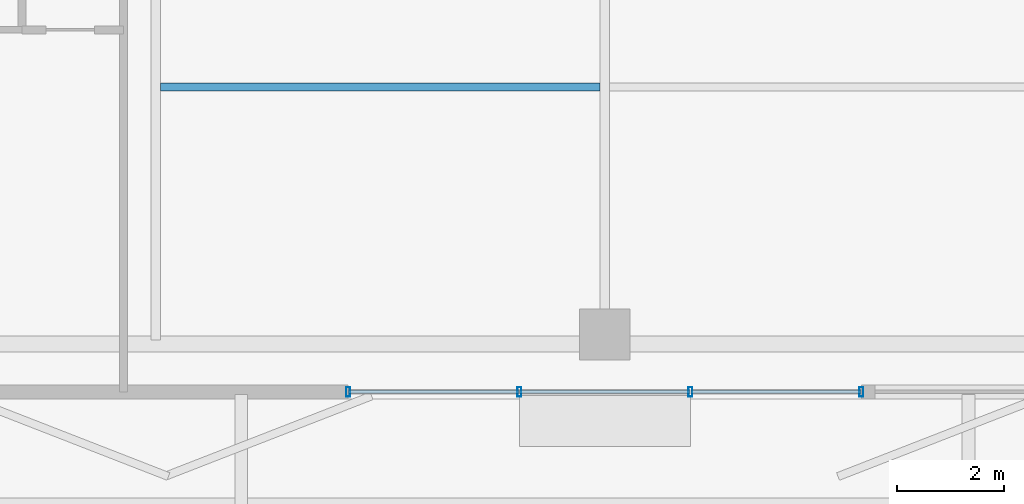
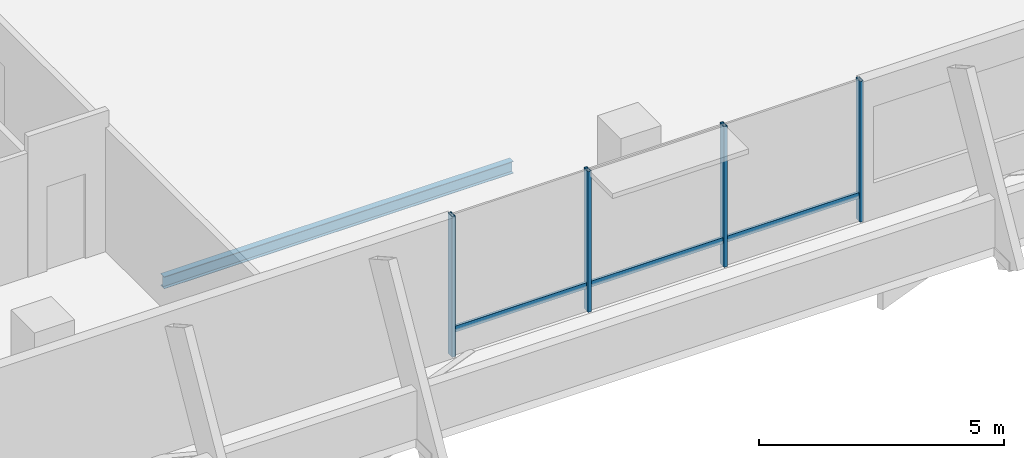
# One storey, part 2 of 17: 7 members, 1 beam, 1 element without a shape of its own.
"""IFC4 building model written with IfcOpenShell, lengths in metres."""

from ifc_helpers import new_model, si_unit, direction, frame, origin, origin_2d, place, context, subcontext, project, spatial, hollow_rectangle, i_section, extrude, material, layer, layer_set, material_profile, profile_set, type_object, element, aggregate, save


model = new_model("IFC4")

# Units and contexts
model_context = context("Model", 3, precision=1e-05, world=origin(), true_north=direction((0.0, 1.0)))
body_context = subcontext(model_context, "Body", "Model", "MODEL_VIEW")
ifc_project = project(units=[si_unit("LENGTHUNIT", "METRE"), si_unit("AREAUNIT", "SQUARE_METRE"), si_unit("VOLUMEUNIT", "CUBIC_METRE"), si_unit("PLANEANGLEUNIT", "RADIAN"), si_unit("MASSUNIT", "GRAM", prefix="KILO")], contexts=[model_context])

# Site, building, storey
site_placement = place(None, origin())
site = spatial("IfcSite", under=ifc_project, at=site_placement, CompositionType="ELEMENT")
building_placement = place(site_placement, origin())
building = spatial("IfcBuilding", under=site, at=building_placement, Name="Belovzor Exchange Tower", CompositionType="ELEMENT")
storey_placement = place(building_placement, frame((0.0, 0.0, 246.60009765625)))
storey = spatial("IfcBuildingStorey", under=building, at=storey_placement, Name="L61", CompositionType="ELEMENT", Elevation=246.60009765625)

# Beam
ifc_material_1 = material(Name="Steel S355", Category="steel")
ifc_material_profile_1 = material_profile(ifc_material_1, i_section(OverallWidth=0.14990234375, OverallDepth=0.300048828125, WebThickness=0.007080078125, FlangeThickness=0.0107421875, at=origin_2d()))
ifc_profile_set_1 = profile_set([ifc_material_profile_1], Name="Steel S355")
beam_type = type_object("IfcBeamType", Name="Secondary Trim Floor Joist IPE 300", PredefinedType="BEAM", material=ifc_profile_set_1)
beam_placement = place(storey_placement, frame((20.489990234375, 9.736083984375, -0.400146484375), z_axis=(1.0, 0.0, 0.0), x_axis=(0.0, 1.0, 0.0)))
element("IfcBeam", 1, at=beam_placement, inside=storey, type_object=beam_type, Name="FJ-300 Secondary Trim Floor Joist IPE 300", PredefinedType="BEAM", context=body_context, shape_type="SweptSolid", body=[
    extrude(i_section(OverallWidth=0.14990234375, OverallDepth=0.300048828125, WebThickness=0.007080078125, FlangeThickness=0.0107421875, at=origin_2d()), origin(), (0.0, 0.0, 1.0), 8.219970703125),
])

# Curtain wall, members
ifc_material_2 = material(Name="Anodised Aluminium Framing", Category="aluminium")
ifc_layer = layer(ifc_material_2, 0.179931640625)
ifc_layer_set = layer_set([ifc_layer], Name="Anodised Aluminium Framing")
curtain_wall_type = type_object("IfcCurtainWallType", Name="Recessed Loggia Low-Iron Triple-Glazed Curtain Wall", PredefinedType="NOTDEFINED", material=ifc_layer_set)
curtain_wall_placement = place(storey_placement, origin())
curtain_wall = element("IfcCurtainWall", 2, at=curtain_wall_placement, inside=storey, type_object=curtain_wall_type, Name="CW3 Recessed Loggia Low-Iron Triple-Glazed Curtain Wall L61", PredefinedType="NOTDEFINED")
ifc_material_3 = material(Name="Steel S355", Category="steel")
ifc_material_profile_2 = material_profile(ifc_material_3, hollow_rectangle(XDim=0.074951171875, YDim=0.179931640625, WallThickness=0.0048828125, at=origin_2d()))
ifc_profile_set_2 = profile_set([ifc_material_profile_2], Name="Steel S355")
member_type_1 = type_object("IfcMemberType", Name="Thermally Broken Curtain Wall Mullion 180x75", PredefinedType="MULLION", material=ifc_profile_set_2)
member_1_placement = place(storey_placement, frame((33.60009765625, 4.030029296875, 0.0), z_axis=(0.0, 0.0, 1.0), x_axis=(-1.0, 0.0, 0.0)))
member_1 = element("IfcMember", 3, at=member_1_placement, type_object=member_type_1, Name="CW-M180 Curtain Wall Mullion 1", PredefinedType="MULLION", context=body_context, shape_type="SweptSolid", body=[
    extrude(hollow_rectangle(XDim=0.074951171875, YDim=0.179931640625, WallThickness=0.0048828125, at=origin_2d()), origin(), (0.0, 0.0, 1.0), 3.5),
])
member_2_placement = place(storey_placement, frame((30.39990234375, 4.030029296875, 0.0), z_axis=(0.0, 0.0, 1.0), x_axis=(-1.0, 0.0, 0.0)))
member_2 = element("IfcMember", 4, at=member_2_placement, type_object=member_type_1, Name="CW-M180 Curtain Wall Mullion 2", PredefinedType="MULLION", context=body_context, shape_type="SweptSolid", body=[
    extrude(hollow_rectangle(XDim=0.074951171875, YDim=0.179931640625, WallThickness=0.0048828125, at=origin_2d()), origin(), (0.0, 0.0, 1.0), 3.5),
])
member_3_placement = place(storey_placement, frame((27.199951171875, 4.030029296875, 0.0), z_axis=(0.0, 0.0, 1.0), x_axis=(-1.0, 0.0, 0.0)))
member_3 = element("IfcMember", 5, at=member_3_placement, type_object=member_type_1, Name="CW-M180 Curtain Wall Mullion 3", PredefinedType="MULLION", context=body_context, shape_type="SweptSolid", body=[
    extrude(hollow_rectangle(XDim=0.074951171875, YDim=0.179931640625, WallThickness=0.0048828125, at=origin_2d()), origin(), (0.0, 0.0, 1.0), 3.5),
])
member_4_placement = place(storey_placement, frame((24.0, 4.030029296875, 0.0), z_axis=(0.0, 0.0, 1.0), x_axis=(-1.0, 0.0, 0.0)))
member_4 = element("IfcMember", 6, at=member_4_placement, type_object=member_type_1, Name="CW-M180 Curtain Wall Mullion 4", PredefinedType="MULLION", context=body_context, shape_type="SweptSolid", body=[
    extrude(hollow_rectangle(XDim=0.074951171875, YDim=0.179931640625, WallThickness=0.0048828125, at=origin_2d()), origin(), (0.0, 0.0, 1.0), 3.5),
])
ifc_material_4 = material(Name="Steel S355", Category="steel")
ifc_material_profile_3 = material_profile(ifc_material_4, hollow_rectangle(XDim=0.06005859375, YDim=0.14990234375, WallThickness=0.00390625, at=origin_2d()))
ifc_profile_set_3 = profile_set([ifc_material_profile_3], Name="Steel S355")
member_type_2 = type_object("IfcMemberType", Name="Thermally Broken Curtain Wall Transom 150x60", PredefinedType="USERDEFINED", material=ifc_profile_set_3)
member_5_placement = place(storey_placement, frame((33.592041015625, 4.030029296875, 0.6298828125), z_axis=(-1.0, 0.0, 0.0), x_axis=(0.0, -1.0, 0.0)))
member_5 = element("IfcMember", 7, at=member_5_placement, type_object=member_type_2, Name="CW-T150 Curtain Wall Transom 1", ObjectType="TRANSOM", PredefinedType="USERDEFINED", context=body_context, shape_type="SweptSolid", body=[
    extrude(hollow_rectangle(XDim=0.06005859375, YDim=0.14990234375, WallThickness=0.00390625, at=origin_2d()), origin(), (0.0, 0.0, 1.0), 3.18408203125),
])
member_6_placement = place(storey_placement, frame((30.39208984375, 4.030029296875, 0.6298828125), z_axis=(-1.0, 0.0, 0.0), x_axis=(0.0, -1.0, 0.0)))
member_6 = element("IfcMember", 8, at=member_6_placement, type_object=member_type_2, Name="CW-T150 Curtain Wall Transom 2", ObjectType="TRANSOM", PredefinedType="USERDEFINED", context=body_context, shape_type="SweptSolid", body=[
    extrude(hollow_rectangle(XDim=0.06005859375, YDim=0.14990234375, WallThickness=0.00390625, at=origin_2d()), origin(), (0.0, 0.0, 1.0), 3.18408203125),
])
member_7_placement = place(storey_placement, frame((27.19189453125, 4.030029296875, 0.6298828125), z_axis=(-1.0, 0.0, 0.0), x_axis=(0.0, -1.0, 0.0)))
member_7 = element("IfcMember", 9, at=member_7_placement, type_object=member_type_2, Name="CW-T150 Curtain Wall Transom 3", ObjectType="TRANSOM", PredefinedType="USERDEFINED", context=body_context, shape_type="SweptSolid", body=[
    extrude(hollow_rectangle(XDim=0.06005859375, YDim=0.14990234375, WallThickness=0.00390625, at=origin_2d()), origin(), (0.0, 0.0, 1.0), 3.183837890625),
])
aggregate(curtain_wall, [member_1, member_2, member_3, member_4, member_5, member_6, member_7])

save(model, "model.ifc")
